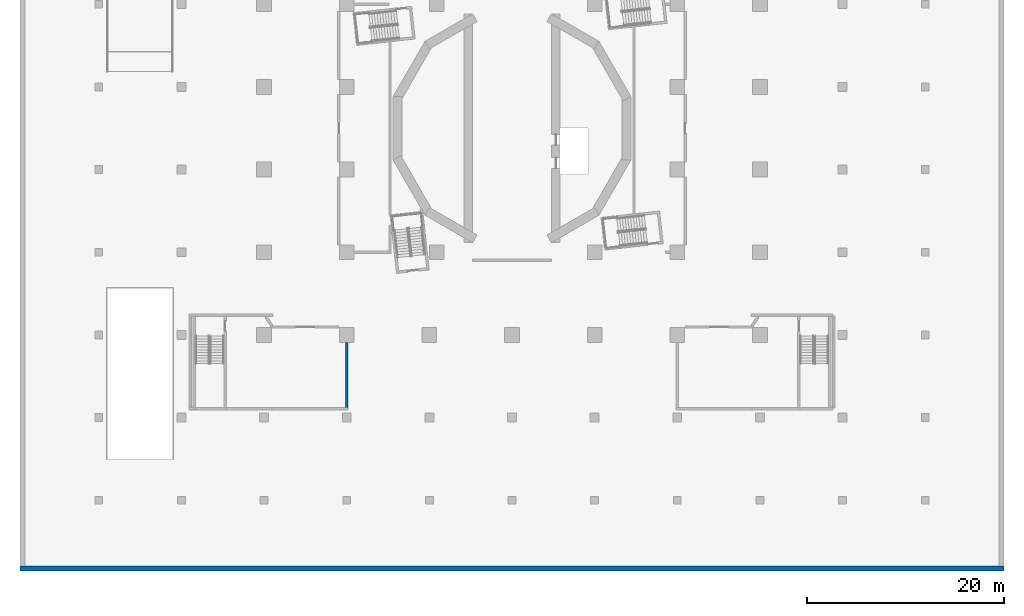
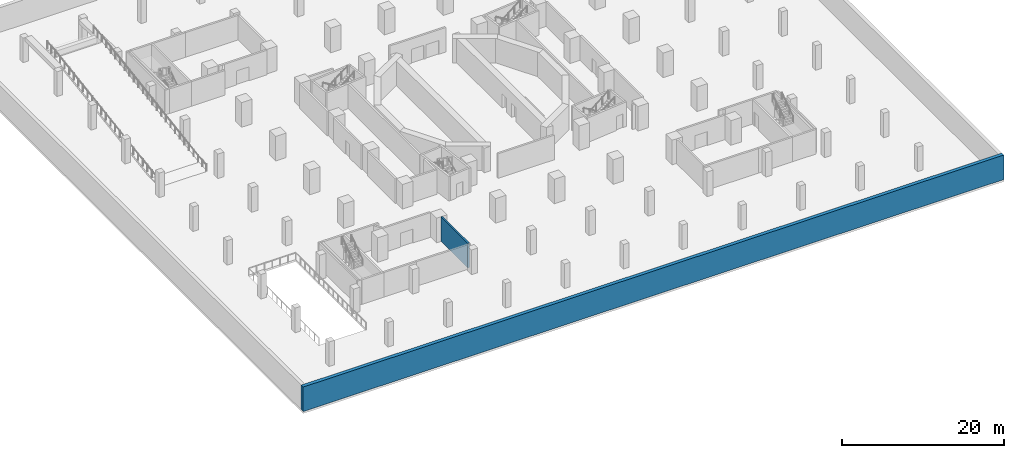
# One storey, part 3 of 18: 2 walls.
"""IFC4 building model written with IfcOpenShell, lengths in metres."""

from ifc_helpers import new_model, si_unit, direction, frame, frame_2d, origin, place, context, subcontext, project, spatial, rectangle, extrude, material, layer, layer_set, type_object, element, save


model = new_model("IFC4")

# Units and contexts
model_context = context("Model", 3, precision=1e-05, world=origin(), true_north=direction((0.0, 1.0)))
body_context = subcontext(model_context, "Body", "Model", "MODEL_VIEW")
ifc_project = project(units=[si_unit("LENGTHUNIT", "METRE"), si_unit("AREAUNIT", "SQUARE_METRE"), si_unit("VOLUMEUNIT", "CUBIC_METRE"), si_unit("PLANEANGLEUNIT", "RADIAN"), si_unit("MASSUNIT", "GRAM", prefix="KILO")], contexts=[model_context])

# Site, building, storey
site_placement = place(None, origin())
site = spatial("IfcSite", under=ifc_project, at=site_placement, CompositionType="ELEMENT")
building_placement = place(site_placement, origin())
building = spatial("IfcBuilding", under=site, at=building_placement, Name="Cantera Rosa Tower", CompositionType="ELEMENT")
storey_placement = place(building_placement, frame((0.0, 0.0, -13.0)))
storey = spatial("IfcBuildingStorey", under=building, at=storey_placement, Name="B3", CompositionType="ELEMENT", Elevation=-13.0)

# Walls
ifc_material_1 = material(Name="Masonry blockwork", Category="masonry")
ifc_layer_1 = layer(ifc_material_1, 0.25)
ifc_layer_set_1 = layer_set([ifc_layer_1], Name="Fire-rated external wall 250")
wall_type_1 = type_object("IfcWallType", Name="Fire-rated external wall 250", PredefinedType="PARTITIONING", material=ifc_layer_set_1)
wall_1_placement = place(storey_placement, frame((-16.800048828125, -28.375, 0.0), z_axis=(0.0, 0.0, 1.0), x_axis=(0.0, 1.0, 0.0)))
element("IfcWall", 1, at=wall_1_placement, inside=storey, type_object=wall_type_1, Name="Fire wall B3-46", PredefinedType="PARTITIONING", context=body_context, shape_type="SweptSolid", body=[
    extrude(rectangle(XDim=6.625, YDim=0.25, at=frame_2d((3.3125, 0.0))), origin(), (0.0, 0.0, 1.0), 3.699951171875),
])
ifc_material_2 = material(Name="Concrete C40/50", Category="concrete")
ifc_layer_2 = layer(ifc_material_2, 0.5)
ifc_layer_set_2 = layer_set([ifc_layer_2], Name="Retaining wall 500")
wall_type_2 = type_object("IfcWallType", Name="Retaining wall 500", PredefinedType="SOLIDWALL", material=ifc_layer_set_2)
wall_2_placement = place(storey_placement, frame((-50.0, -44.75, 0.0), z_axis=(0.0, 0.0, 1.0), x_axis=(1.0, 0.0, 0.0)))
element("IfcWall", 2, at=wall_2_placement, inside=storey, type_object=wall_type_2, Name="Retaining wall S B3", PredefinedType="SOLIDWALL", context=body_context, shape_type="SweptSolid", body=[
    extrude(rectangle(XDim=100.0, YDim=0.5, at=frame_2d((50.0, 0.0))), origin(), (0.0, 0.0, 1.0), 3.699951171875),
])

save(model, "model.ifc")
